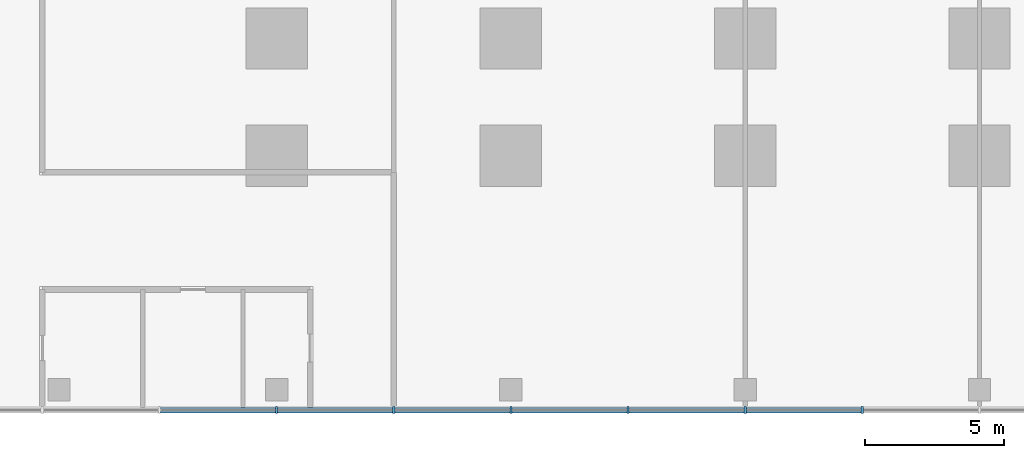
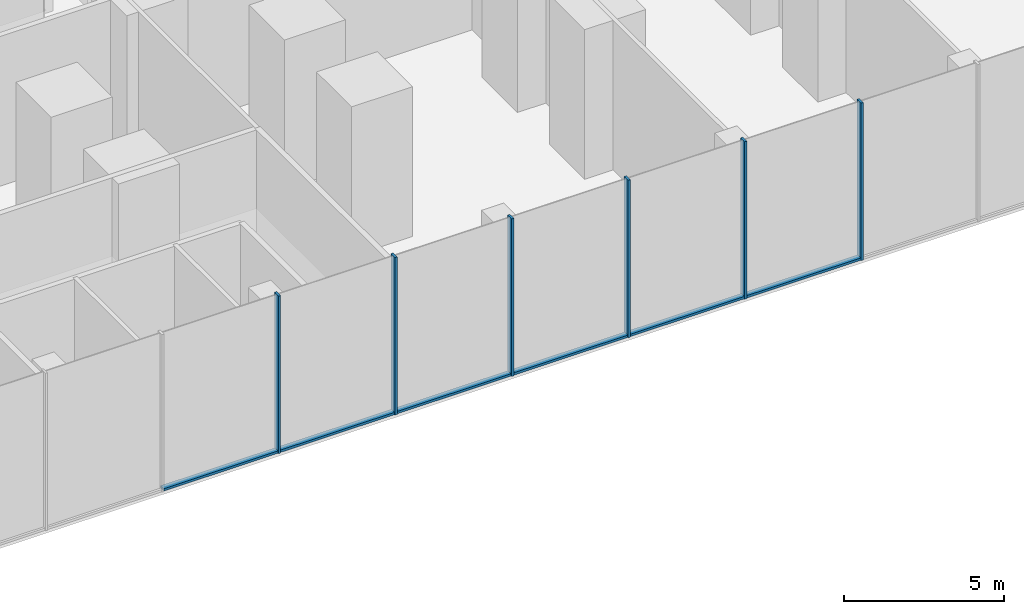
# One storey, part 16 of 32: 12 members, 1 element without a shape of its own.
"""IFC4 building model written with IfcOpenShell, lengths in metres."""

from ifc_helpers import new_model, si_unit, direction, frame, origin, origin_2d, place, context, subcontext, project, spatial, rectangle, extrude, material, material_profile, profile_set, type_object, element, aggregate, save


model = new_model("IFC4")

# Units and contexts
model_context = context("Model", 3, precision=1e-05, world=origin(), true_north=direction((0.0, 1.0)))
body_context = subcontext(model_context, "Body", "Model", "MODEL_VIEW")
ifc_project = project(units=[si_unit("LENGTHUNIT", "METRE"), si_unit("AREAUNIT", "SQUARE_METRE"), si_unit("VOLUMEUNIT", "CUBIC_METRE"), si_unit("PLANEANGLEUNIT", "RADIAN"), si_unit("MASSUNIT", "GRAM", prefix="KILO")], contexts=[model_context])

# Site, building, storey
site_placement = place(None, origin())
site = spatial("IfcSite", under=ifc_project, at=site_placement, CompositionType="ELEMENT")
building_placement = place(site_placement, origin())
building = spatial("IfcBuilding", under=site, at=building_placement, Name="Dunama Terrace Hotel", CompositionType="ELEMENT")
storey_placement = place(building_placement, frame((0.0, 0.0, 6.0)))
storey = spatial("IfcBuildingStorey", under=building, at=storey_placement, Name="L01", CompositionType="ELEMENT", Elevation=6.0)

# Curtain wall, members
ifc_material_1 = material(Name="Aluminium curtain wall system", Category="aluminium")
curtain_wall_type = type_object("IfcCurtainWallType", Name="Podium storefront glazing CW-E", PredefinedType="NOTDEFINED", material=ifc_material_1)
curtain_wall_placement = place(storey_placement, origin())
curtain_wall = element("IfcCurtainWall", 1, at=curtain_wall_placement, inside=storey, type_object=curtain_wall_type, Name="Podium storefront glazing CW-E L01", PredefinedType="NOTDEFINED")
ifc_material_2 = material(Name="Aluminium mullion", Category="aluminium")
ifc_material_profile_1 = material_profile(ifc_material_2, rectangle(XDim=0.080078125, YDim=0.25, at=origin_2d()), Name="CWE MULLION 80X250")
ifc_profile_set_1 = profile_set([ifc_material_profile_1], Name="Aluminium mullion")
member_type_1 = type_object("IfcMemberType", Name="CWE mullion 80x250", PredefinedType="MULLION", material=ifc_profile_set_1)
member_1_placement = place(storey_placement, frame((8.39990234375, -8.52490234375, 0.0), z_axis=(0.0, 0.0, 1.0), x_axis=(1.0, 0.0, 0.0)))
member_1 = element("IfcMember", 2, at=member_1_placement, type_object=member_type_1, Name="CWE mullion", PredefinedType="MULLION", context=body_context, shape_type="SweptSolid", body=[
    extrude(rectangle(XDim=0.080078125, YDim=0.25, at=origin_2d()), origin(), (0.0, 0.0, 1.0), 6.0),
])
member_2_placement = place(storey_placement, frame((12.60009765625, -8.52490234375, 0.0), z_axis=(0.0, 0.0, 1.0), x_axis=(1.0, 0.0, 0.0)))
member_2 = element("IfcMember", 3, at=member_2_placement, type_object=member_type_1, Name="CWE mullion", PredefinedType="MULLION", context=body_context, shape_type="SweptSolid", body=[
    extrude(rectangle(XDim=0.080078125, YDim=0.25, at=origin_2d()), origin(), (0.0, 0.0, 1.0), 6.0),
])
member_3_placement = place(storey_placement, frame((16.800048828125, -8.52490234375, 0.0), z_axis=(0.0, 0.0, 1.0), x_axis=(1.0, 0.0, 0.0)))
member_3 = element("IfcMember", 4, at=member_3_placement, type_object=member_type_1, Name="CWE mullion", PredefinedType="MULLION", context=body_context, shape_type="SweptSolid", body=[
    extrude(rectangle(XDim=0.080078125, YDim=0.25, at=origin_2d()), origin(), (0.0, 0.0, 1.0), 6.0),
])
member_4_placement = place(storey_placement, frame((21.0, -8.52490234375, 0.0), z_axis=(0.0, 0.0, 1.0), x_axis=(1.0, 0.0, 0.0)))
member_4 = element("IfcMember", 5, at=member_4_placement, type_object=member_type_1, Name="CWE mullion", PredefinedType="MULLION", context=body_context, shape_type="SweptSolid", body=[
    extrude(rectangle(XDim=0.080078125, YDim=0.25, at=origin_2d()), origin(), (0.0, 0.0, 1.0), 6.0),
])
member_5_placement = place(storey_placement, frame((25.199951171875, -8.52490234375, 0.0), z_axis=(0.0, 0.0, 1.0), x_axis=(1.0, 0.0, 0.0)))
member_5 = element("IfcMember", 6, at=member_5_placement, type_object=member_type_1, Name="CWE mullion", PredefinedType="MULLION", context=body_context, shape_type="SweptSolid", body=[
    extrude(rectangle(XDim=0.080078125, YDim=0.25, at=origin_2d()), origin(), (0.0, 0.0, 1.0), 6.0),
])
member_6_placement = place(storey_placement, frame((29.39990234375, -8.52490234375, 0.0), z_axis=(0.0, 0.0, 1.0), x_axis=(1.0, 0.0, 0.0)))
member_6 = element("IfcMember", 7, at=member_6_placement, type_object=member_type_1, Name="CWE mullion", PredefinedType="MULLION", context=body_context, shape_type="SweptSolid", body=[
    extrude(rectangle(XDim=0.080078125, YDim=0.25, at=origin_2d()), origin(), (0.0, 0.0, 1.0), 6.0),
])
ifc_material_3 = material(Name="Aluminium transom", Category="aluminium")
ifc_material_profile_2 = material_profile(ifc_material_3, rectangle(XDim=0.199951171875, YDim=0.090087890625, at=origin_2d()), Name="CWE TRANSOM 200X90")
ifc_profile_set_2 = profile_set([ifc_material_profile_2], Name="Aluminium transom")
member_type_2 = type_object("IfcMemberType", Name="CWE transom 200x90", PredefinedType="USERDEFINED", material=ifc_profile_set_2)
member_7_placement = place(storey_placement, frame((4.239990234375, -8.52490234375, 0.044921875), z_axis=(1.0, 0.0, 0.0), x_axis=(0.0, 1.0, 0.0)))
member_7 = element("IfcMember", 8, at=member_7_placement, type_object=member_type_2, Name="CWE transom", ObjectType="TRANSOM", PredefinedType="USERDEFINED", context=body_context, shape_type="SweptSolid", body=[
    extrude(rectangle(XDim=0.199951171875, YDim=0.090087890625, at=origin_2d()), origin(), (0.0, 0.0, 1.0), 4.1201171875),
])
member_8_placement = place(storey_placement, frame((8.43994140625, -8.52490234375, 0.044921875), z_axis=(1.0, 0.0, 0.0), x_axis=(0.0, 1.0, 0.0)))
member_8 = element("IfcMember", 9, at=member_8_placement, type_object=member_type_2, Name="CWE transom", ObjectType="TRANSOM", PredefinedType="USERDEFINED", context=body_context, shape_type="SweptSolid", body=[
    extrude(rectangle(XDim=0.199951171875, YDim=0.090087890625, at=origin_2d()), origin(), (0.0, 0.0, 1.0), 4.1201171875),
])
member_9_placement = place(storey_placement, frame((12.639892578125, -8.52490234375, 0.044921875), z_axis=(1.0, 0.0, 0.0), x_axis=(0.0, 1.0, 0.0)))
member_9 = element("IfcMember", 10, at=member_9_placement, type_object=member_type_2, Name="CWE transom", ObjectType="TRANSOM", PredefinedType="USERDEFINED", context=body_context, shape_type="SweptSolid", body=[
    extrude(rectangle(XDim=0.199951171875, YDim=0.090087890625, at=origin_2d()), origin(), (0.0, 0.0, 1.0), 4.1201171875),
])
member_10_placement = place(storey_placement, frame((16.840087890625, -8.52490234375, 0.044921875), z_axis=(1.0, 0.0, 0.0), x_axis=(0.0, 1.0, 0.0)))
member_10 = element("IfcMember", 11, at=member_10_placement, type_object=member_type_2, Name="CWE transom", ObjectType="TRANSOM", PredefinedType="USERDEFINED", context=body_context, shape_type="SweptSolid", body=[
    extrude(rectangle(XDim=0.199951171875, YDim=0.090087890625, at=origin_2d()), origin(), (0.0, 0.0, 1.0), 4.119873046875),
])
member_11_placement = place(storey_placement, frame((21.0400390625, -8.52490234375, 0.044921875), z_axis=(1.0, 0.0, 0.0), x_axis=(0.0, 1.0, 0.0)))
member_11 = element("IfcMember", 12, at=member_11_placement, type_object=member_type_2, Name="CWE transom", ObjectType="TRANSOM", PredefinedType="USERDEFINED", context=body_context, shape_type="SweptSolid", body=[
    extrude(rectangle(XDim=0.199951171875, YDim=0.090087890625, at=origin_2d()), origin(), (0.0, 0.0, 1.0), 4.119873046875),
])
member_12_placement = place(storey_placement, frame((25.239990234375, -8.52490234375, 0.044921875), z_axis=(1.0, 0.0, 0.0), x_axis=(0.0, 1.0, 0.0)))
member_12 = element("IfcMember", 13, at=member_12_placement, type_object=member_type_2, Name="CWE transom", ObjectType="TRANSOM", PredefinedType="USERDEFINED", context=body_context, shape_type="SweptSolid", body=[
    extrude(rectangle(XDim=0.199951171875, YDim=0.090087890625, at=origin_2d()), origin(), (0.0, 0.0, 1.0), 4.1201171875),
])
aggregate(curtain_wall, [member_1, member_2, member_3, member_4, member_5, member_6, member_7, member_8, member_9, member_10, member_11, member_12])

save(model, "model.ifc")
